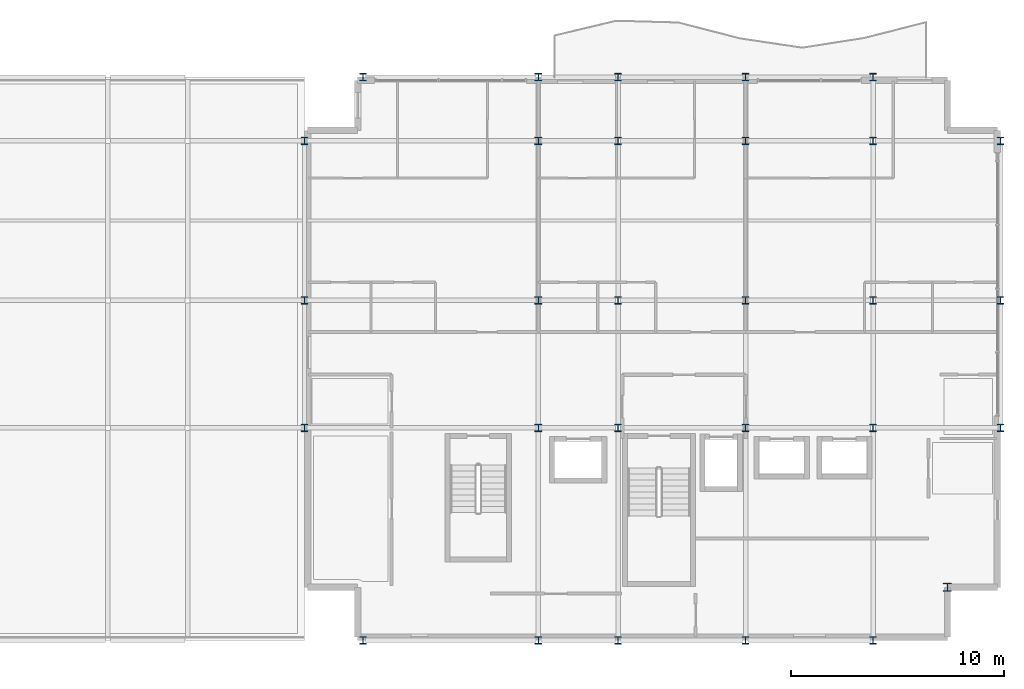
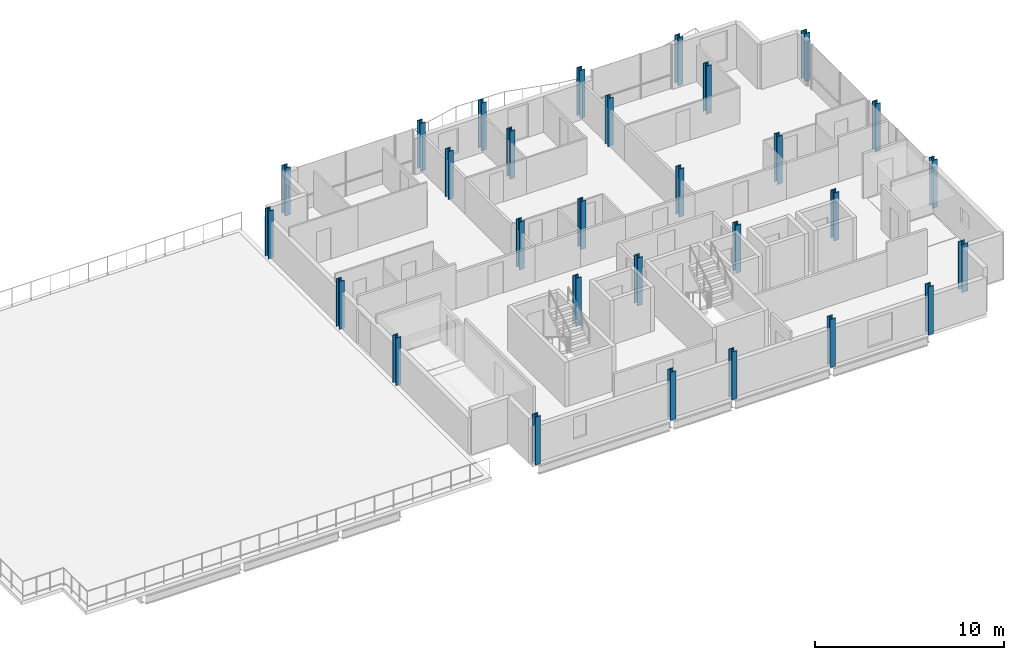
# One storey, part 1 of 17: 29 columns.
"""IFC4 building model written with IfcOpenShell, lengths in metres."""

from ifc_helpers import new_model, si_unit, direction, frame, origin, origin_2d, place, context, subcontext, project, spatial, i_section, extrude, material, material_profile, profile_set, type_object, element, save


model = new_model("IFC4")

# Units and contexts
model_context = context("Model", 3, precision=1e-05, world=origin(), true_north=direction((0.0, 1.0)))
body_context = subcontext(model_context, "Body", "Model", "MODEL_VIEW")
ifc_project = project(units=[si_unit("LENGTHUNIT", "METRE"), si_unit("AREAUNIT", "SQUARE_METRE"), si_unit("VOLUMEUNIT", "CUBIC_METRE"), si_unit("PLANEANGLEUNIT", "RADIAN"), si_unit("MASSUNIT", "GRAM", prefix="KILO")], contexts=[model_context])

# Site, building, storey
site_placement = place(None, origin())
site = spatial("IfcSite", under=ifc_project, at=site_placement, CompositionType="ELEMENT")
building_placement = place(site_placement, origin())
building = spatial("IfcBuilding", under=site, at=building_placement, Name="Brevholm Reach", CompositionType="ELEMENT")
storey_placement = place(building_placement, frame((0.0, 0.0, 221.10009765625)))
storey = spatial("IfcBuildingStorey", under=building, at=storey_placement, Name="L67", CompositionType="ELEMENT", Elevation=221.10009765625)

# Columns
ifc_material_1 = material(Name="Structural Steel S355J2", Category="steel")
ifc_material_profile_1 = material_profile(ifc_material_1, i_section(OverallWidth=0.374755859375, OverallDepth=0.37451171875, WebThickness=0.0166015625, FlangeThickness=0.027099609375, FilletRadius=0.01513671875, at=origin_2d()), Name="UKC 356x368x202")
ifc_profile_set_1 = profile_set([ifc_material_profile_1], Name="Structural Steel S355J2")
column_type_1 = type_object("IfcColumnType", Name="COL-UC6", PredefinedType="COLUMN", material=ifc_profile_set_1)
column_placement = place(storey_placement, frame((57.5, 2.5, 0.0), z_axis=(0.0, 0.0, 1.0), x_axis=(1.0, 0.0, 0.0)))
element("IfcColumn", 1, at=column_placement, inside=storey, type_object=column_type_1, Name="L67 Column 26", PredefinedType="COLUMN", context=body_context, shape_type="SweptSolid", body=[
    extrude(i_section(OverallWidth=0.374755859375, OverallDepth=0.37451171875, WebThickness=0.0166015625, FlangeThickness=0.027099609375, FilletRadius=0.01513671875, at=origin_2d()), origin(), (0.0, 0.0, 1.0), 3.099853515625),
])
ifc_material_2 = material(Name="Structural Steel S355J2", Category="steel")
ifc_material_profile_2 = material_profile(ifc_material_2, i_section(OverallWidth=0.318359375, OverallDepth=0.3525390625, WebThickness=0.02294921875, FlangeThickness=0.03759765625, FilletRadius=0.01513671875, at=origin_2d()), Name="UKC 305x305x240")
ifc_profile_set_2 = profile_set([ifc_material_profile_2], Name="Structural Steel S355J2")
column_type_2 = type_object("IfcColumnType", Name="COL-UC6B", PredefinedType="COLUMN", material=ifc_profile_set_2)
for number, where, z_axis, x_axis, name in (
    (2, (27.25, 10.0, 0.0), (0.0, 0.0, 1.0), (1.0, 0.0, 0.0), "L67 Column 01"),
    (3, (27.25, 16.0, 0.0), (0.0, 0.0, 1.0), (1.0, 0.0, 0.0), "L67 Column 02"),
    (4, (27.25, 23.5, 0.0), (0.0, 0.0, 1.0), (1.0, 0.0, 0.0), "L67 Column 03"),
    (5, (30.0, 0.0, 0.0), (0.0, 0.0, 1.0), (1.0, 0.0, 0.0), "L67 Column 04"),
    (6, (30.0, 26.5, 0.0), (0.0, 0.0, 1.0), (1.0, 0.0, 0.0), "L67 Column 05"),
    (7, (38.25, 0.0, 0.0), (0.0, 0.0, 1.0), (1.0, 0.0, 0.0), "L67 Column 06"),
    (8, (38.25, 10.0, 0.0), (0.0, 0.0, 1.0), (1.0, 0.0, 0.0), "L67 Column 07"),
    (9, (38.25, 16.0, 0.0), (0.0, 0.0, 1.0), (1.0, 0.0, 0.0), "L67 Column 08"),
    (10, (38.25, 23.5, 0.0), (0.0, 0.0, 1.0), (1.0, 0.0, 0.0), "L67 Column 09"),
    (11, (38.25, 26.5, 0.0), (0.0, 0.0, 1.0), (1.0, 0.0, 0.0), "L67 Column 10"),
    (12, (42.0, 0.0, 0.0), (0.0, 0.0, 1.0), (1.0, 0.0, 0.0), "L67 Column 11"),
    (13, (42.0, 10.0, 0.0), (0.0, 0.0, 1.0), (1.0, 0.0, 0.0), "L67 Column 12"),
    (14, (42.0, 16.0, 0.0), (0.0, 0.0, 1.0), (1.0, 0.0, 0.0), "L67 Column 13"),
    (15, (42.0, 23.5, 0.0), (0.0, 0.0, 1.0), (1.0, 0.0, 0.0), "L67 Column 14"),
    (16, (42.0, 26.5, 0.0), (0.0, 0.0, 1.0), (1.0, 0.0, 0.0), "L67 Column 15"),
    (17, (48.0, 0.0, 0.0), (0.0, 0.0, 1.0), (1.0, 0.0, 0.0), "L67 Column 16"),
    (18, (48.0, 10.0, 0.0), (0.0, 0.0, 1.0), (1.0, 0.0, 0.0), "L67 Column 17"),
    (19, (48.0, 16.0, 0.0), (0.0, 0.0, 1.0), (1.0, 0.0, 0.0), "L67 Column 18"),
    (20, (48.0, 23.5, 0.0), (0.0, 0.0, 1.0), (1.0, 0.0, 0.0), "L67 Column 19"),
    (21, (48.0, 26.5, 0.0), (0.0, 0.0, 1.0), (1.0, 0.0, 0.0), "L67 Column 20"),
    (22, (54.0, 0.0, 0.0), (0.0, 0.0, 1.0), (1.0, 0.0, 0.0), "L67 Column 21"),
    (23, (54.0, 10.0, 0.0), (0.0, 0.0, 1.0), (1.0, 0.0, 0.0), "L67 Column 22"),
    (24, (54.0, 16.0, 0.0), (0.0, 0.0, 1.0), (1.0, 0.0, 0.0), "L67 Column 23"),
    (25, (54.0, 23.5, 0.0), (0.0, 0.0, 1.0), (1.0, 0.0, 0.0), "L67 Column 24"),
    (26, (54.0, 26.5, 0.0), (0.0, 0.0, 1.0), (1.0, 0.0, 0.0), "L67 Column 25"),
    (27, (60.0, 10.0, 0.0), (0.0, 0.0, 1.0), (1.0, 0.0, 0.0), "L67 Column 27"),
    (28, (60.0, 16.0, 0.0), (0.0, 0.0, 1.0), (1.0, 0.0, 0.0), "L67 Column 28"),
    (29, (60.0, 23.5, 0.0), (0.0, 0.0, 1.0), (1.0, 0.0, 0.0), "L67 Column 29"),
):
    element("IfcColumn", number, at=place(storey_placement, frame(where, z_axis=z_axis, x_axis=x_axis)), inside=storey, type_object=column_type_2, Name=name, PredefinedType="COLUMN", context=body_context, shape_type="SweptSolid", body=[
        extrude(i_section(OverallWidth=0.318359375, OverallDepth=0.3525390625, WebThickness=0.02294921875, FlangeThickness=0.03759765625, FilletRadius=0.01513671875, at=origin_2d()), origin(), (0.0, 0.0, 1.0), 3.099853515625),
    ])

save(model, "model.ifc")
